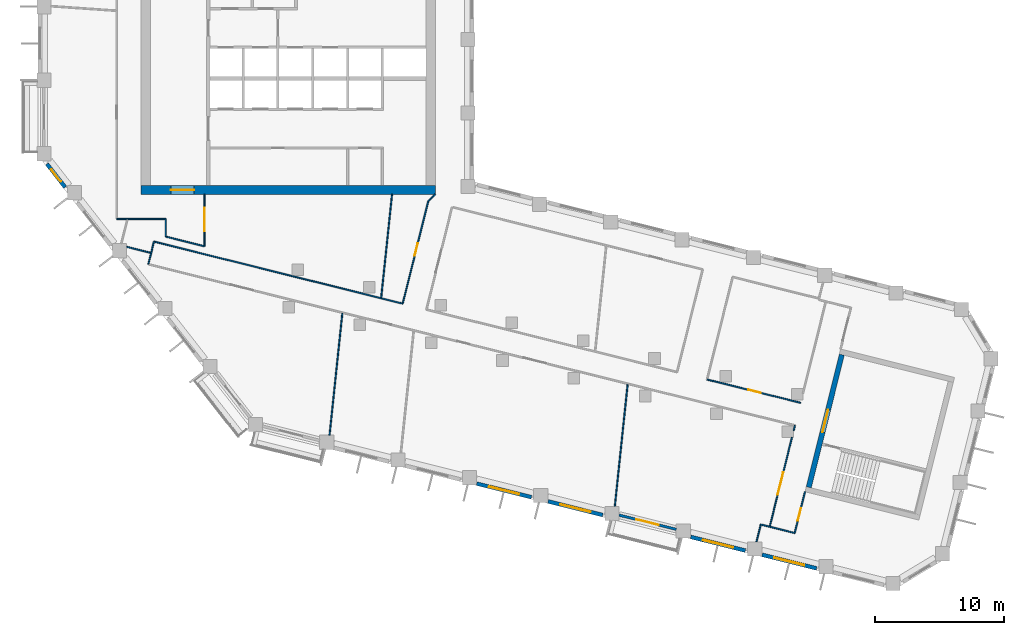
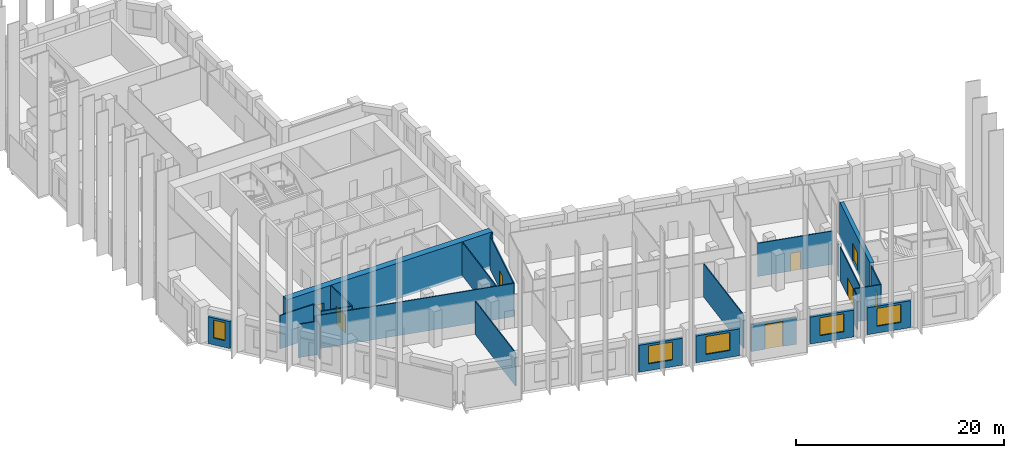
# One storey, part 3 of 10: 27 walls, 8 doors, 5 windows, 13 openings.
"""IFC4 building model written with IfcOpenShell, lengths in metres."""

from ifc_helpers import new_model, si_unit, direction, frame, frame_2d, origin, place, context, subcontext, project, spatial, rectangle, extrude, material, layer, layer_set, type_object, element, fill, save


model = new_model("IFC4")

# Units and contexts
model_context = context("Model", 3, precision=1e-05, world=origin(), true_north=direction((0.0, 1.0)))
body_context = subcontext(model_context, "Body", "Model", "MODEL_VIEW")
ifc_project = project(units=[si_unit("LENGTHUNIT", "METRE"), si_unit("AREAUNIT", "SQUARE_METRE"), si_unit("VOLUMEUNIT", "CUBIC_METRE"), si_unit("PLANEANGLEUNIT", "RADIAN"), si_unit("MASSUNIT", "GRAM", prefix="KILO")], contexts=[model_context])

# Site, building, storey
site_placement = place(None, origin())
site = spatial("IfcSite", under=ifc_project, at=site_placement, CompositionType="ELEMENT")
building_placement = place(site_placement, origin())
building = spatial("IfcBuilding", under=site, at=building_placement, Name="Meshkara Civic Tower", CompositionType="ELEMENT")
storey_placement = place(building_placement, frame((0.0, 0.0, 225.60009765625)))
storey = spatial("IfcBuildingStorey", under=building, at=storey_placement, Name="L51", CompositionType="ELEMENT", Elevation=225.60009765625)

# Wall, opening, door
ifc_material_1 = material(Name="Concrete C60", Category="concrete")
ifc_layer_1 = layer(ifc_material_1, 0.699951171875)
ifc_layer_set_1 = layer_set([ifc_layer_1], Name="Core ring wall 700 C60")
wall_type_1 = type_object("IfcWallType", Name="Core ring wall 700 C60", PredefinedType="SHEAR", material=ifc_layer_set_1)
wall_1_placement = place(storey_placement, frame((8.0, 14.449951171875, -0.300048828125), z_axis=(0.0, 0.0, 1.0), x_axis=(1.0, 0.0, 0.0)))
wall_1 = element("IfcWall", 1, at=wall_1_placement, inside=storey, type_object=wall_type_1, Name="L51-C001", PredefinedType="SHEAR", context=body_context, shape_type="SweptSolid", body=[
    extrude(rectangle(XDim=22.800048828125, YDim=0.699951171875, at=frame_2d((11.39990234375, 0.0))), origin(), (0.0, 0.0, 1.0), 4.199951171875),
])
opening_1_placement = place(wall_1_placement, frame((2.300048828125, 0.0, 0.300048828125)))
opening_1 = element("IfcOpeningElement", 2, at=opening_1_placement, cuts=wall_1, Name="Opening L51-K021", PredefinedType="OPENING", context=body_context, shape_type="SweptSolid", body=[
    extrude(rectangle(XDim=1.800048828125, YDim=2.10009765625, at=frame_2d((0.89990234375, 1.050048828125))), frame((0.0, 0.35986328125, 0.0), z_axis=(0.0, -1.0, 0.0), x_axis=(1.0, 0.0, 0.0)), (0.0, 0.0, 1.0), 0.719970703125),
])
ifc_material_2 = material(Name="Fire-rated door leaf in steel frame", Category="steel")
door_type_1 = type_object("IfcDoorType", Name="Core double door 1800 EI 60", OperationType="DOUBLE_DOOR_SINGLE_SWING", PredefinedType="DOOR", material=ifc_material_2)
door_1_placement = place(opening_1_placement, origin())
door_1 = element("IfcDoor", 3, at=door_1_placement, inside=storey, type_object=door_type_1, Name="L51-K021", OperationType="DOUBLE_DOOR_SINGLE_SWING", OverallHeight=2.10009765625, OverallWidth=1.800048828125, PredefinedType="DOOR", context=body_context, shape_type="SweptSolid", body=[
    extrude(rectangle(XDim=1.800048828125, YDim=2.10009765625, at=frame_2d((0.89990234375, 1.050048828125))), frame((0.0, 0.02490234375, 0.0), z_axis=(0.0, -1.0, 0.0), x_axis=(1.0, 0.0, 0.0)), (0.0, 0.0, 1.0), 0.050048828125),
])
fill(opening_1, door_1)

# Walls
ifc_material_3 = material(Name="Corridor wall 100")
ifc_layer_2 = layer(ifc_material_3, 0.10009765625)
ifc_layer_set_2 = layer_set([ifc_layer_2], Name="Corridor wall 100")
wall_type_2 = type_object("IfcWallType", Name="Corridor wall 100", PredefinedType="PARTITIONING", material=ifc_layer_set_2)
wall_2_placement = place(storey_placement, frame((6.10009765625, 12.199951171875, 0.0), z_axis=(0.0, 0.0, 1.0), x_axis=(1.0, 0.0, 0.0)))
element("IfcWall", 4, at=wall_2_placement, inside=storey, type_object=wall_type_2, Name="L51-W004", PredefinedType="PARTITIONING", context=body_context, shape_type="SweptSolid", body=[
    extrude(rectangle(XDim=3.7998046875, YDim=0.10009765625, at=frame_2d((1.89990234375, 0.0))), origin(), (0.0, 0.0, 1.0), 3.89990234375),
])
wall_3_placement = place(storey_placement, frame((8.988037109375, 10.43994140625, 0.0), z_axis=(0.0, 0.0, 1.0), x_axis=(0.970301223092, -0.241899848006, 0.0)))
element("IfcWall", 5, at=wall_3_placement, inside=storey, type_object=wall_type_2, Name="L51-W007", PredefinedType="PARTITIONING", context=body_context, shape_type="SweptSolid", body=[
    extrude(rectangle(XDim=19.87939453125, YDim=0.10009765625, at=frame_2d((9.939697265625, 0.0))), origin(), (0.0, 0.0, 1.0), 3.89990234375),
])
wall_4_placement = place(storey_placement, frame((8.988037109375, 10.43994140625, 0.0), z_axis=(0.0, 0.0, 1.0), x_axis=(-0.242154485745, -0.970237705428, 0.0)))
element("IfcWall", 6, at=wall_4_placement, inside=storey, type_object=wall_type_2, Name="L51-W008", PredefinedType="PARTITIONING", context=body_context, shape_type="SweptSolid", body=[
    extrude(rectangle(XDim=1.80859375, YDim=0.10009765625, at=frame_2d((0.904296875, 0.0))), origin(), (0.0, 0.0, 1.0), 3.89990234375),
])
wall_5_placement = place(storey_placement, frame((9.89990234375, 10.825927734375, 0.0), z_axis=(0.0, 0.0, 1.0), x_axis=(0.970290953223, -0.241941038466, 0.0)))
element("IfcWall", 7, at=wall_5_placement, inside=storey, type_object=wall_type_2, Name="L51-W009", PredefinedType="PARTITIONING", context=body_context, shape_type="SweptSolid", body=[
    extrude(rectangle(XDim=3.091796875, YDim=0.10009765625, at=frame_2d((1.5458984375, 0.0))), origin(), (0.0, 0.0, 1.0), 3.89990234375),
])
wall_6_placement = place(storey_placement, frame((9.89990234375, 12.199951171875, 0.0), z_axis=(0.0, 0.0, 1.0), x_axis=(0.0, -1.0, 0.0)))
element("IfcWall", 8, at=wall_6_placement, inside=storey, type_object=wall_type_2, Name="L51-W010", PredefinedType="PARTITIONING", context=body_context, shape_type="SweptSolid", body=[
    extrude(rectangle(XDim=1.3740234375, YDim=0.10009765625, at=frame_2d((0.68701171875, 0.0))), origin(), (0.0, 0.0, 1.0), 3.89990234375),
])

# Wall, opening, door
wall_7_placement = place(storey_placement, frame((12.89990234375, 10.077880859375, 0.0), z_axis=(0.0, 0.0, 1.0), x_axis=(0.0, 1.0, 0.0)))
wall_7 = element("IfcWall", 9, at=wall_7_placement, inside=storey, type_object=wall_type_2, Name="L51-W014", PredefinedType="PARTITIONING", context=body_context, shape_type="SweptSolid", body=[
    extrude(rectangle(XDim=4.022216796875, YDim=0.10009765625, at=frame_2d((2.01123046875, 0.0))), origin(), (0.0, 0.0, 1.0), 3.89990234375),
])
opening_2_placement = place(wall_7_placement, frame((1.179931640625, 0.0, 0.0)))
opening_2 = element("IfcOpeningElement", 10, at=opening_2_placement, cuts=wall_7, Name="Opening L51-D012", PredefinedType="OPENING", context=body_context, shape_type="SweptSolid", body=[
    extrude(rectangle(XDim=1.800048828125, YDim=2.10009765625, at=frame_2d((0.89990234375, 1.050048828125))), frame((0.0, 0.06005859375, 0.0), z_axis=(0.0, -1.0, 0.0), x_axis=(1.0, 0.0, 0.0)), (0.0, 0.0, 1.0), 0.1201171875),
])
ifc_material_4 = material(Name="Door pair 1800 x 2100")
door_type_2 = type_object("IfcDoorType", Name="Door pair 1800 x 2100", OperationType="SINGLE_SWING_LEFT", PredefinedType="DOOR", material=ifc_material_4)
door_2_placement = place(opening_2_placement, origin())
door_2 = element("IfcDoor", 11, at=door_2_placement, inside=storey, type_object=door_type_2, Name="L51-D012", OperationType="DOUBLE_DOOR_SINGLE_SWING", OverallHeight=2.10009765625, OverallWidth=1.800048828125, PredefinedType="DOOR", context=body_context, shape_type="SweptSolid", body=[
    extrude(rectangle(XDim=1.800048828125, YDim=2.10009765625, at=frame_2d((0.89990234375, 1.050048828125))), frame((0.0, 0.02490234375, 0.0), z_axis=(0.0, -1.0, 0.0), x_axis=(1.0, 0.0, 0.0)), (0.0, 0.0, 1.0), 0.050048828125),
])
fill(opening_2, door_2)

wall_8_placement = place(storey_placement, frame((30.259033203125, 13.5830078125, 0.0), z_axis=(0.0, 0.0, 1.0), x_axis=(-0.241841612879, -0.970315739479, 0.0)))
wall_8 = element("IfcWall", 12, at=wall_8_placement, inside=storey, type_object=wall_type_2, Name="L51-W023", PredefinedType="PARTITIONING", context=body_context, shape_type="SweptSolid", body=[
    extrude(rectangle(XDim=8.195068359375, YDim=0.10009765625, at=frame_2d((4.09765625, 0.0))), origin(), (0.0, 0.0, 1.0), 3.89990234375),
])
opening_3_placement = place(wall_8_placement, frame((3.3798828125, 0.0, 0.0)))
opening_3 = element("IfcOpeningElement", 13, at=opening_3_placement, cuts=wall_8, Name="Opening L51-D009", PredefinedType="OPENING", context=body_context, shape_type="SweptSolid", body=[
    extrude(rectangle(XDim=1.0, YDim=2.10009765625, at=frame_2d((0.5, 1.050048828125))), frame((0.0, 0.06005859375, 0.0), z_axis=(0.0, -1.0, 0.0), x_axis=(1.0, 0.0, 0.0)), (0.0, 0.0, 1.0), 0.1201171875),
])
ifc_material_5 = material(Name="Door 1000 x 2100")
door_type_3 = type_object("IfcDoorType", Name="Door 1000 x 2100", OperationType="SINGLE_SWING_LEFT", PredefinedType="DOOR", material=ifc_material_5)
door_3_placement = place(opening_3_placement, origin())
door_3 = element("IfcDoor", 14, at=door_3_placement, inside=storey, type_object=door_type_3, Name="L51-D009", OperationType="SINGLE_SWING_RIGHT", OverallHeight=2.10009765625, OverallWidth=1.0, PredefinedType="DOOR", context=body_context, shape_type="SweptSolid", body=[
    extrude(rectangle(XDim=1.0, YDim=2.10009765625, at=frame_2d((0.5, 1.050048828125))), frame((0.0, 0.02490234375, 0.0), z_axis=(0.0, -1.0, 0.0), x_axis=(1.0, 0.0, 0.0)), (0.0, 0.0, 1.0), 0.050048828125),
])
fill(opening_3, door_3)

# Walls
wall_9_placement = place(storey_placement, frame((30.800048828125, 14.10009765625, 0.0), z_axis=(0.0, 0.0, 1.0), x_axis=(-0.722911025189, -0.690941133281, 0.0)))
element("IfcWall", 15, at=wall_9_placement, inside=storey, type_object=wall_type_2, Name="L51-W024", PredefinedType="PARTITIONING", context=body_context, shape_type="SweptSolid", body=[
    extrude(rectangle(XDim=0.748291015625, YDim=0.10009765625, at=frame_2d((0.3740234375, 0.0))), origin(), (0.0, 0.0, 1.0), 3.89990234375),
])
wall_10_placement = place(storey_placement, frame((56.73193359375, -11.6708984375, 0.0), z_axis=(0.0, 0.0, 1.0), x_axis=(0.970250131019, -0.242104694829, 0.0)))
element("IfcWall", 16, at=wall_10_placement, inside=storey, type_object=wall_type_2, Name="L51-W030", PredefinedType="PARTITIONING", context=body_context, shape_type="SweptSolid", body=[
    extrude(rectangle(XDim=1.999755859375, YDim=0.10009765625, at=frame_2d((1.0, 0.0))), origin(), (0.0, 0.0, 1.0), 3.89990234375),
])

# Wall, opening, door
wall_11_placement = place(storey_placement, frame((58.458984375, -4.741943359375, 0.0), z_axis=(0.0, 0.0, 1.0), x_axis=(-0.24185178818, -0.970313203329, 0.0)))
wall_11 = element("IfcWall", 17, at=wall_11_placement, inside=storey, type_object=wall_type_2, Name="L51-W031", PredefinedType="PARTITIONING", context=body_context, shape_type="SweptSolid", body=[
    extrude(rectangle(XDim=7.140869140625, YDim=0.10009765625, at=frame_2d((3.5703125, 0.0))), origin(), (0.0, 0.0, 1.0), 3.89990234375),
])
opening_4_placement = place(wall_11_placement, frame((2.780029296875, 0.0, 0.0)))
opening_4 = element("IfcOpeningElement", 18, at=opening_4_placement, cuts=wall_11, Name="Opening L51-D001", PredefinedType="OPENING", context=body_context, shape_type="SweptSolid", body=[
    extrude(rectangle(XDim=1.800048828125, YDim=2.10009765625, at=frame_2d((0.89990234375, 1.050048828125))), frame((0.0, 0.06005859375, 0.0), z_axis=(0.0, -1.0, 0.0), x_axis=(1.0, 0.0, 0.0)), (0.0, 0.0, 1.0), 0.1201171875),
])
door_4_placement = place(opening_4_placement, origin())
door_4 = element("IfcDoor", 19, at=door_4_placement, inside=storey, type_object=door_type_2, Name="L51-D001", OperationType="DOUBLE_DOOR_SINGLE_SWING", OverallHeight=2.10009765625, OverallWidth=1.800048828125, PredefinedType="DOOR", context=body_context, shape_type="SweptSolid", body=[
    extrude(rectangle(XDim=1.800048828125, YDim=2.10009765625, at=frame_2d((0.89990234375, 1.050048828125))), frame((0.0, 0.02490234375, 0.0), z_axis=(0.0, -1.0, 0.0), x_axis=(1.0, 0.0, 0.0)), (0.0, 0.0, 1.0), 0.050048828125),
])
fill(opening_4, door_4)

wall_12_placement = place(storey_placement, frame((58.672119140625, -12.155029296875, 0.0), z_axis=(0.0, 0.0, 1.0), x_axis=(0.242048225647, 0.970264219922, 0.0)))
wall_12 = element("IfcWall", 20, at=wall_12_placement, inside=storey, type_object=wall_type_2, Name="L51-W032", PredefinedType="PARTITIONING", context=body_context, shape_type="SweptSolid", body=[
    extrude(rectangle(XDim=3.30029296875, YDim=0.10009765625, at=frame_2d((1.650146484375, 0.0))), origin(), (0.0, 0.0, 1.0), 3.89990234375),
])
opening_5_placement = place(wall_12_placement, frame((0.97998046875, 0.0, 0.0)))
opening_5 = element("IfcOpeningElement", 21, at=opening_5_placement, cuts=wall_12, Name="Opening L51-D002", PredefinedType="OPENING", context=body_context, shape_type="SweptSolid", body=[
    extrude(rectangle(XDim=1.0, YDim=2.10009765625, at=frame_2d((0.5, 1.050048828125))), frame((0.0, 0.06005859375, 0.0), z_axis=(0.0, -1.0, 0.0), x_axis=(1.0, 0.0, 0.0)), (0.0, 0.0, 1.0), 0.1201171875),
])
door_5_placement = place(opening_5_placement, origin())
door_5 = element("IfcDoor", 22, at=door_5_placement, inside=storey, type_object=door_type_3, Name="L51-D002", OperationType="SINGLE_SWING_RIGHT", OverallHeight=2.10009765625, OverallWidth=1.0, PredefinedType="DOOR", context=body_context, shape_type="SweptSolid", body=[
    extrude(rectangle(XDim=1.0, YDim=2.10009765625, at=frame_2d((0.5, 1.050048828125))), frame((0.0, 0.02490234375, 0.0), z_axis=(0.0, -1.0, 0.0), x_axis=(1.0, 0.0, 0.0)), (0.0, 0.0, 1.0), 0.050048828125),
])
fill(opening_5, door_5)

# Wall
wall_13_placement = place(storey_placement, frame((58.68994140625, -3.81591796875, 0.0), z_axis=(0.0, 0.0, 1.0), x_axis=(-0.241572107215, -0.970382871353, 0.0)))
element("IfcWall", 23, at=wall_13_placement, inside=storey, type_object=wall_type_2, Name="L51-W033", PredefinedType="PARTITIONING", context=body_context, shape_type="SweptSolid", body=[
    extrude(rectangle(XDim=0.41748046875, YDim=0.10009765625, at=frame_2d((0.208740234375, 0.0))), origin(), (0.0, 0.0, 1.0), 3.89990234375),
])

# Wall, opening, door
wall_14_placement = place(storey_placement, frame((59.1279296875, -2.06103515625, 0.0), z_axis=(0.0, 0.0, 1.0), x_axis=(-0.970296107939, 0.241920364826, 0.0)))
wall_14 = element("IfcWall", 24, at=wall_14_placement, inside=storey, type_object=wall_type_2, Name="L51-W034", PredefinedType="PARTITIONING", context=body_context, shape_type="SweptSolid", body=[
    extrude(rectangle(XDim=7.469970703125, YDim=0.10009765625, at=frame_2d((3.73486328125, 0.0))), origin(), (0.0, 0.0, 1.0), 3.89990234375),
])
opening_6_placement = place(wall_14_placement, frame((3.179931640625, 0.0, 0.0)))
opening_6 = element("IfcOpeningElement", 25, at=opening_6_placement, cuts=wall_14, Name="Opening L51-D003", PredefinedType="OPENING", context=body_context, shape_type="SweptSolid", body=[
    extrude(rectangle(XDim=1.0, YDim=2.10009765625, at=frame_2d((0.5, 1.050048828125))), frame((0.0, 0.06005859375, 0.0), z_axis=(0.0, -1.0, 0.0), x_axis=(1.0, 0.0, 0.0)), (0.0, 0.0, 1.0), 0.1201171875),
])
door_6_placement = place(opening_6_placement, origin())
door_6 = element("IfcDoor", 26, at=door_6_placement, inside=storey, type_object=door_type_3, Name="L51-D003", OperationType="SINGLE_SWING_RIGHT", OverallHeight=2.10009765625, OverallWidth=1.0, PredefinedType="DOOR", context=body_context, shape_type="SweptSolid", body=[
    extrude(rectangle(XDim=1.0, YDim=2.10009765625, at=frame_2d((0.5, 1.050048828125))), frame((0.0, 0.02490234375, 0.0), z_axis=(0.0, -1.0, 0.0), x_axis=(1.0, 0.0, 0.0)), (0.0, 0.0, 1.0), 0.050048828125),
])
fill(opening_6, door_6)

# Wall, opening, window
ifc_material_6 = material(Name="Insulated infill panel with bronze anodised aluminium cladding", Category="aluminium")
ifc_layer_3 = layer(ifc_material_6, 0.300048828125)
ifc_layer_set_3 = layer_set([ifc_layer_3], Name="EXTERNAL INFILL WALL 300")
wall_type_3 = type_object("IfcWallType", Name="EXTERNAL INFILL WALL 300", PredefinedType="SOLIDWALL", material=ifc_layer_set_3)
wall_15_placement = place(storey_placement, frame((0.68896484375, 16.4619140625, 0.0), z_axis=(0.0, 0.0, 1.0), x_axis=(0.615625465473, -0.788038886262, 0.0)))
wall_15 = element("IfcWall", 27, at=wall_15_placement, inside=storey, type_object=wall_type_3, Name="External wall", PredefinedType="SOLIDWALL", context=body_context, shape_type="SweptSolid", body=[
    extrude(rectangle(XDim=2.29541015625, YDim=0.300048828125, at=frame_2d((1.147705078125, 0.0))), origin(), (0.0, 0.0, 1.0), 3.14990234375),
])
opening_7_placement = place(wall_15_placement, frame((0.548095703125, 0.0, 0.800048828125)))
opening_7 = element("IfcOpeningElement", 28, at=opening_7_placement, cuts=wall_15, Name="Opening W3", PredefinedType="OPENING", context=body_context, shape_type="SweptSolid", body=[
    extrude(rectangle(XDim=1.199951171875, YDim=2.10009765625, at=frame_2d((0.60009765625, 1.050048828125))), frame((0.0, 0.159912109375, 0.0), z_axis=(0.0, -1.0, 0.0), x_axis=(1.0, 0.0, 0.0)), (0.0, 0.0, 1.0), 0.320068359375),
])
ifc_material_7 = material(Name="Tinted double glazing", Category="glass")
window_type_1 = type_object("IfcWindowType", Name="WINDOW 1200x2100", PartitioningType="SINGLE_PANEL", PredefinedType="WINDOW", material=ifc_material_7)
window_1_placement = place(opening_7_placement, origin())
window_1 = element("IfcWindow", 29, at=window_1_placement, inside=storey, type_object=window_type_1, Name="Window", OverallHeight=2.10009765625, OverallWidth=1.199951171875, PartitioningType="SINGLE_PANEL", PredefinedType="WINDOW", context=body_context, shape_type="SweptSolid", body=[
    extrude(rectangle(XDim=1.199951171875, YDim=2.10009765625, at=frame_2d((0.60009765625, 1.050048828125))), frame((0.0, 0.030029296875, 0.0), z_axis=(0.0, -1.0, 0.0), x_axis=(1.0, 0.0, 0.0)), (0.0, 0.0, 1.0), 0.06005859375),
])
fill(opening_7, window_1)

wall_16_placement = place(storey_placement, frame((34.01708984375, -8.326904296875, 0.0), z_axis=(0.0, 0.0, 1.0), x_axis=(0.970306725873, -0.241877774353, 0.0)))
wall_16 = element("IfcWall", 30, at=wall_16_placement, inside=storey, type_object=wall_type_3, Name="External wall", PredefinedType="SOLIDWALL", context=body_context, shape_type="SweptSolid", body=[
    extrude(rectangle(XDim=4.366455078125, YDim=0.300048828125, at=frame_2d((2.18310546875, 0.0))), origin(), (0.0, 0.0, 1.0), 3.14990234375),
])
opening_8_placement = place(wall_16_placement, frame((0.98291015625, 0.0, 0.800048828125)))
opening_8 = element("IfcOpeningElement", 31, at=opening_8_placement, cuts=wall_16, Name="Opening W7", PredefinedType="OPENING", context=body_context, shape_type="SweptSolid", body=[
    extrude(rectangle(XDim=2.39990234375, YDim=2.10009765625, at=frame_2d((1.199951171875, 1.050048828125))), frame((0.0, 0.159912109375, 0.0), z_axis=(0.0, -1.0, 0.0), x_axis=(1.0, 0.0, 0.0)), (0.0, 0.0, 1.0), 0.320068359375),
])
ifc_material_8 = material(Name="Tinted double glazing", Category="glass")
window_type_2 = type_object("IfcWindowType", Name="WINDOW 2400x2100", PartitioningType="DOUBLE_PANEL_VERTICAL", PredefinedType="WINDOW", material=ifc_material_8)
window_2_placement = place(opening_8_placement, origin())
window_2 = element("IfcWindow", 32, at=window_2_placement, inside=storey, type_object=window_type_2, Name="Window", OverallHeight=2.10009765625, OverallWidth=2.39990234375, PartitioningType="DOUBLE_PANEL_VERTICAL", PredefinedType="WINDOW", context=body_context, shape_type="SweptSolid", body=[
    extrude(rectangle(XDim=2.39990234375, YDim=2.10009765625, at=frame_2d((1.199951171875, 1.050048828125))), frame((0.0, 0.030029296875, 0.0), z_axis=(0.0, -1.0, 0.0), x_axis=(1.0, 0.0, 0.0)), (0.0, 0.0, 1.0), 0.06005859375),
])
fill(opening_8, window_2)

wall_17_placement = place(storey_placement, frame((39.548095703125, -9.7060546875, 0.0), z_axis=(0.0, 0.0, 1.0), x_axis=(0.970319847058, -0.241825131873, 0.0)))
wall_17 = element("IfcWall", 33, at=wall_17_placement, inside=storey, type_object=wall_type_3, Name="External wall", PredefinedType="SOLIDWALL", context=body_context, shape_type="SweptSolid", body=[
    extrude(rectangle(XDim=4.366455078125, YDim=0.300048828125, at=frame_2d((2.18310546875, 0.0))), origin(), (0.0, 0.0, 1.0), 3.14990234375),
])
opening_9_placement = place(wall_17_placement, frame((0.98291015625, 0.0, 0.800048828125)))
opening_9 = element("IfcOpeningElement", 34, at=opening_9_placement, cuts=wall_17, Name="Opening W7", PredefinedType="OPENING", context=body_context, shape_type="SweptSolid", body=[
    extrude(rectangle(XDim=2.39990234375, YDim=2.10009765625, at=frame_2d((1.199951171875, 1.050048828125))), frame((0.0, 0.159912109375, 0.0), z_axis=(0.0, -1.0, 0.0), x_axis=(1.0, 0.0, 0.0)), (0.0, 0.0, 1.0), 0.320068359375),
])
window_3_placement = place(opening_9_placement, origin())
window_3 = element("IfcWindow", 35, at=window_3_placement, inside=storey, type_object=window_type_2, Name="Window", OverallHeight=2.10009765625, OverallWidth=2.39990234375, PartitioningType="DOUBLE_PANEL_VERTICAL", PredefinedType="WINDOW", context=body_context, shape_type="SweptSolid", body=[
    extrude(rectangle(XDim=2.39990234375, YDim=2.10009765625, at=frame_2d((1.199951171875, 1.050048828125))), frame((0.0, 0.030029296875, 0.0), z_axis=(0.0, -1.0, 0.0), x_axis=(1.0, 0.0, 0.0)), (0.0, 0.0, 1.0), 0.06005859375),
])
fill(opening_9, window_3)

wall_18_placement = place(storey_placement, frame((50.60888671875, -12.462890625, 0.0), z_axis=(0.0, 0.0, 1.0), x_axis=(0.970257492536, -0.242075191166, 0.0)))
wall_18 = element("IfcWall", 36, at=wall_18_placement, inside=storey, type_object=wall_type_3, Name="External wall", PredefinedType="SOLIDWALL", context=body_context, shape_type="SweptSolid", body=[
    extrude(rectangle(XDim=4.366943359375, YDim=0.300048828125, at=frame_2d((2.18359375, 0.0))), origin(), (0.0, 0.0, 1.0), 3.14990234375),
])
opening_10_placement = place(wall_18_placement, frame((0.98291015625, 0.0, 0.800048828125)))
opening_10 = element("IfcOpeningElement", 37, at=opening_10_placement, cuts=wall_18, Name="Opening W7", PredefinedType="OPENING", context=body_context, shape_type="SweptSolid", body=[
    extrude(rectangle(XDim=2.39990234375, YDim=2.10009765625, at=frame_2d((1.199951171875, 1.050048828125))), frame((0.0, 0.159912109375, 0.0), z_axis=(0.0, -1.0, 0.0), x_axis=(1.0, 0.0, 0.0)), (0.0, 0.0, 1.0), 0.320068359375),
])
window_4_placement = place(opening_10_placement, origin())
window_4 = element("IfcWindow", 38, at=window_4_placement, inside=storey, type_object=window_type_2, Name="Window", OverallHeight=2.10009765625, OverallWidth=2.39990234375, PartitioningType="DOUBLE_PANEL_VERTICAL", PredefinedType="WINDOW", context=body_context, shape_type="SweptSolid", body=[
    extrude(rectangle(XDim=2.39990234375, YDim=2.10009765625, at=frame_2d((1.199951171875, 1.050048828125))), frame((0.0, 0.030029296875, 0.0), z_axis=(0.0, -1.0, 0.0), x_axis=(1.0, 0.0, 0.0)), (0.0, 0.0, 1.0), 0.06005859375),
])
fill(opening_10, window_4)

wall_19_placement = place(storey_placement, frame((56.139892578125, -13.842041015625, 0.0), z_axis=(0.0, 0.0, 1.0), x_axis=(0.970270622343, -0.24202255973, 0.0)))
wall_19 = element("IfcWall", 39, at=wall_19_placement, inside=storey, type_object=wall_type_3, Name="External wall", PredefinedType="SOLIDWALL", context=body_context, shape_type="SweptSolid", body=[
    extrude(rectangle(XDim=4.366943359375, YDim=0.300048828125, at=frame_2d((2.18359375, 0.0))), origin(), (0.0, 0.0, 1.0), 3.14990234375),
])
opening_11_placement = place(wall_19_placement, frame((0.98291015625, 0.0, 0.800048828125)))
opening_11 = element("IfcOpeningElement", 40, at=opening_11_placement, cuts=wall_19, Name="Opening W7", PredefinedType="OPENING", context=body_context, shape_type="SweptSolid", body=[
    extrude(rectangle(XDim=2.39990234375, YDim=2.10009765625, at=frame_2d((1.199951171875, 1.050048828125))), frame((0.0, 0.159912109375, 0.0), z_axis=(0.0, -1.0, 0.0), x_axis=(1.0, 0.0, 0.0)), (0.0, 0.0, 1.0), 0.320068359375),
])
window_5_placement = place(opening_11_placement, origin())
window_5 = element("IfcWindow", 41, at=window_5_placement, inside=storey, type_object=window_type_2, Name="Window", OverallHeight=2.10009765625, OverallWidth=2.39990234375, PartitioningType="DOUBLE_PANEL_VERTICAL", PredefinedType="WINDOW", context=body_context, shape_type="SweptSolid", body=[
    extrude(rectangle(XDim=2.39990234375, YDim=2.10009765625, at=frame_2d((1.199951171875, 1.050048828125))), frame((0.0, 0.030029296875, 0.0), z_axis=(0.0, -1.0, 0.0), x_axis=(1.0, 0.0, 0.0)), (0.0, 0.0, 1.0), 0.06005859375),
])
fill(opening_11, window_5)

# Wall, opening, door
ifc_material_9 = material(Name="Concrete C60", Category="concrete")
ifc_layer_4 = layer(ifc_material_9, 0.39990234375)
ifc_layer_set_4 = layer_set([ifc_layer_4], Name="End core ring wall 400 C60")
wall_type_4 = type_object("IfcWallType", Name="End core ring wall 400 C60", PredefinedType="SHEAR", material=ifc_layer_set_4)
wall_20_placement = place(storey_placement, frame((59.760986328125, -8.613037109375, -0.300048828125), z_axis=(0.0, 0.0, 1.0), x_axis=(0.241971982666, 0.970283236795, 0.0)))
wall_20 = element("IfcWall", 42, at=wall_20_placement, inside=storey, type_object=wall_type_4, Name="L51-C030", PredefinedType="SHEAR", context=body_context, shape_type="SweptSolid", body=[
    extrude(rectangle(XDim=10.60009765625, YDim=0.39990234375, at=frame_2d((5.300048828125, 0.0))), origin(), (0.0, 0.0, 1.0), 4.199951171875),
])
opening_12_placement = place(wall_20_placement, frame((4.39990234375, 0.0, 0.300048828125)))
opening_12 = element("IfcOpeningElement", 43, at=opening_12_placement, cuts=wall_20, Name="Opening L51-K202", PredefinedType="OPENING", context=body_context, shape_type="SweptSolid", body=[
    extrude(rectangle(XDim=1.800048828125, YDim=2.10009765625, at=frame_2d((0.89990234375, 1.050048828125))), frame((0.0, 0.2099609375, 0.0), z_axis=(0.0, -1.0, 0.0), x_axis=(1.0, 0.0, 0.0)), (0.0, 0.0, 1.0), 0.419921875),
])
door_7_placement = place(opening_12_placement, origin())
door_7 = element("IfcDoor", 44, at=door_7_placement, inside=storey, type_object=door_type_1, Name="L51-K202", OperationType="DOUBLE_DOOR_SINGLE_SWING", OverallHeight=2.10009765625, OverallWidth=1.800048828125, PredefinedType="DOOR", context=body_context, shape_type="SweptSolid", body=[
    extrude(rectangle(XDim=1.800048828125, YDim=2.10009765625, at=frame_2d((0.89990234375, 1.050048828125))), frame((0.0, 0.02490234375, 0.0), z_axis=(0.0, -1.0, 0.0), x_axis=(1.0, 0.0, 0.0)), (0.0, 0.0, 1.0), 0.050048828125),
])
fill(opening_12, door_7)

ifc_material_10 = material(Name="Insulated infill panel with bronze anodised aluminium cladding", Category="aluminium")
ifc_layer_5 = layer(ifc_material_10, 0.199951171875)
ifc_layer_set_5 = layer_set([ifc_layer_5], Name="LOGGIA BACK WALL 200")
wall_type_5 = type_object("IfcWallType", Name="LOGGIA BACK WALL 200", PredefinedType="SOLIDWALL", material=ifc_layer_set_5)
wall_21_placement = place(storey_placement, frame((45.054931640625, -10.77001953125, 0.0), z_axis=(0.0, 0.0, 1.0), x_axis=(0.970324663654, -0.241805804532, 0.0)))
wall_21 = element("IfcWall", 45, at=wall_21_placement, inside=storey, type_object=wall_type_5, Name="Loggia wall", PredefinedType="SOLIDWALL", context=body_context, shape_type="SweptSolid", body=[
    extrude(rectangle(XDim=4.565673828125, YDim=0.199951171875, at=frame_2d((2.28271484375, 0.0))), origin(), (0.0, 0.0, 1.0), 3.14990234375),
])
opening_13_placement = place(wall_21_placement, frame((1.382080078125, 0.0, 0.0)))
opening_13 = element("IfcOpeningElement", 46, at=opening_13_placement, cuts=wall_21, Name="Opening L51-L005", PredefinedType="OPENING", context=body_context, shape_type="SweptSolid", body=[
    extrude(rectangle(XDim=1.800048828125, YDim=2.89990234375, at=frame_2d((0.89990234375, 1.449951171875))), frame((0.0, 0.10986328125, 0.0), z_axis=(0.0, -1.0, 0.0), x_axis=(1.0, 0.0, 0.0)), (0.0, 0.0, 1.0), 0.219970703125),
])
ifc_material_11 = material(Name="Tinted double glazing", Category="glass")
door_type_4 = type_object("IfcDoorType", Name="LOGGIA DOOR 1800x2900", OperationType="DOUBLE_DOOR_SINGLE_SWING", PredefinedType="DOOR", material=ifc_material_11)
door_8_placement = place(opening_13_placement, origin())
door_8 = element("IfcDoor", 47, at=door_8_placement, inside=storey, type_object=door_type_4, Name="L51-L005", OperationType="DOUBLE_DOOR_SINGLE_SWING", OverallHeight=2.89990234375, OverallWidth=1.800048828125, PredefinedType="DOOR", context=body_context, shape_type="SweptSolid", body=[
    extrude(rectangle(XDim=1.800048828125, YDim=2.89990234375, at=frame_2d((0.89990234375, 1.449951171875))), frame((0.0, 0.02490234375, 0.0), z_axis=(0.0, -1.0, 0.0), x_axis=(1.0, 0.0, 0.0)), (0.0, 0.0, 1.0), 0.050048828125),
])
fill(opening_13, door_8)

# Walls
ifc_material_12 = material(Name="Partition 100")
ifc_layer_6 = layer(ifc_material_12, 0.10009765625)
ifc_layer_set_6 = layer_set([ifc_layer_6], Name="Partition 100")
wall_type_6 = type_object("IfcWallType", Name="Partition 100", PredefinedType="PARTITIONING", material=ifc_layer_set_6)
wall_22_placement = place(storey_placement, frame((8.719970703125, 9.573974609375, 0.0), z_axis=(0.0, 0.0, 1.0), x_axis=(-0.970240497311, 0.242143299263, 0.0)))
element("IfcWall", 48, at=wall_22_placement, inside=storey, type_object=wall_type_6, Name="L51-W046", PredefinedType="PARTITIONING", context=body_context, shape_type="SweptSolid", body=[
    extrude(rectangle(XDim=1.903564453125, YDim=0.10009765625, at=frame_2d((0.95166015625, 0.0))), origin(), (0.0, 0.0, 1.0), 3.89990234375),
])
wall_23_placement = place(storey_placement, frame((22.60107421875, -4.56689453125, 0.0), z_axis=(0.0, 0.0, 1.0), x_axis=(0.104573690763, 0.994517140727, 0.0)))
element("IfcWall", 49, at=wall_23_placement, inside=storey, type_object=wall_type_6, Name="L51-W049", PredefinedType="PARTITIONING", context=body_context, shape_type="SweptSolid", body=[
    extrude(rectangle(XDim=9.494873046875, YDim=0.10009765625, at=frame_2d((4.74755859375, 0.0))), origin(), (0.0, 0.0, 1.0), 3.89990234375),
])
wall_24_placement = place(storey_placement, frame((26.60791015625, 6.10498046875, 0.0), z_axis=(0.0, 0.0, 1.0), x_axis=(0.104619970127, 0.994512273353, 0.0)))
element("IfcWall", 50, at=wall_24_placement, inside=storey, type_object=wall_type_6, Name="L51-W050", PredefinedType="PARTITIONING", context=body_context, shape_type="SweptSolid", body=[
    extrude(rectangle(XDim=8.039306640625, YDim=0.10009765625, at=frame_2d((4.01953125, 0.0))), origin(), (0.0, 0.0, 1.0), 3.89990234375),
])
wall_25_placement = place(storey_placement, frame((44.72412109375, -10.08203125, 0.0), z_axis=(0.0, 0.0, 1.0), x_axis=(0.104479978306, 0.994526990148, 0.0)))
element("IfcWall", 51, at=wall_25_placement, inside=storey, type_object=wall_type_6, Name="L51-W053", PredefinedType="PARTITIONING", context=body_context, shape_type="SweptSolid", body=[
    extrude(rectangle(XDim=9.494140625, YDim=0.10009765625, at=frame_2d((4.7470703125, 0.0))), origin(), (0.0, 0.0, 1.0), 3.89990234375),
])
wall_26_placement = place(storey_placement, frame((55.702880859375, -12.840087890625, 0.0), z_axis=(0.0, 0.0, 1.0), x_axis=(0.242327978011, 0.970194388292, 0.0)))
element("IfcWall", 52, at=wall_26_placement, inside=storey, type_object=wall_type_6, Name="L51-W054", PredefinedType="PARTITIONING", context=body_context, shape_type="SweptSolid", body=[
    extrude(rectangle(XDim=1.38330078125, YDim=0.10009765625, at=frame_2d((0.691650390625, 0.0))), origin(), (0.0, 0.0, 1.0), 3.89990234375),
])
wall_27_placement = place(storey_placement, frame((56.0380859375, -11.498046875, 0.0), z_axis=(0.0, 0.0, 1.0), x_axis=(0.970282083048, -0.241976609029, 0.0)))
element("IfcWall", 53, at=wall_27_placement, inside=storey, type_object=wall_type_6, Name="L51-W055", PredefinedType="PARTITIONING", context=body_context, shape_type="SweptSolid", body=[
    extrude(rectangle(XDim=0.719482421875, YDim=0.10009765625, at=frame_2d((0.35986328125, 0.0))), origin(), (0.0, 0.0, 1.0), 3.89990234375),
])

save(model, "model.ifc")
